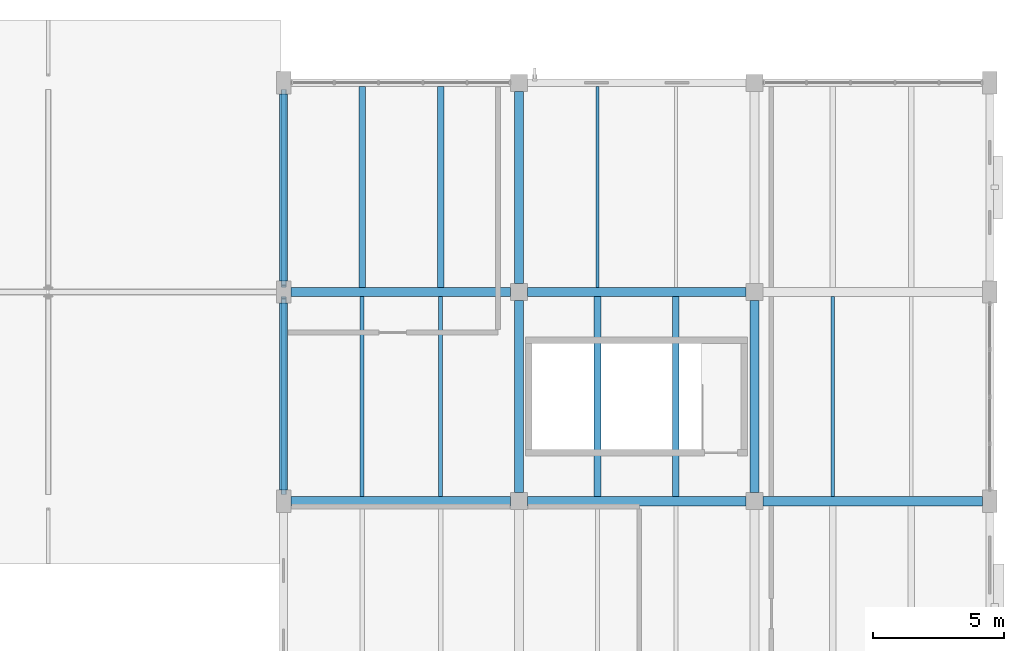
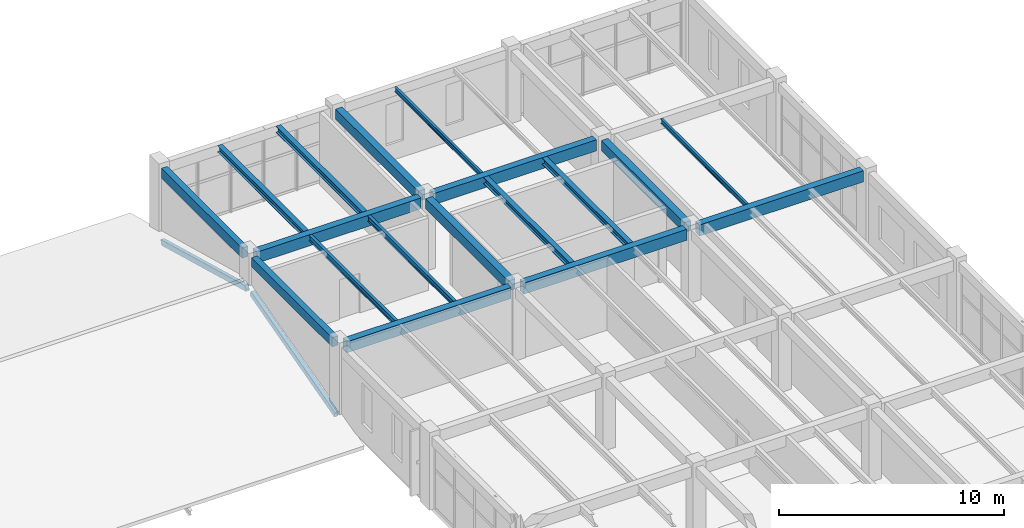
# One storey, part 46 of 71: 18 beams, 2 members.
"""IFC4 building model written with IfcOpenShell, lengths in metres."""

from ifc_helpers import new_model, si_unit, derived_unit, direction, frame, origin, origin_2d, place, context, subcontext, project, spatial, rectangle, hollow_rectangle, i_section, extrude, material, material_profile, profile_set, type_object, element, save


model = new_model("IFC4")

# Units and contexts
model_context = context("Model", 3, precision=1e-05, world=origin(), true_north=direction((0.0, 1.0)))
body_context = subcontext(model_context, "Body", "Model", "MODEL_VIEW")
ifc_project = project(units=[si_unit("LENGTHUNIT", "METRE"), si_unit("AREAUNIT", "SQUARE_METRE"), si_unit("VOLUMEUNIT", "CUBIC_METRE"), si_unit("PLANEANGLEUNIT", "RADIAN"), si_unit("MASSUNIT", "GRAM", prefix="KILO"), derived_unit("THERMALTRANSMITTANCEUNIT", [(si_unit("MASSUNIT", "GRAM", prefix="KILO"), 1), (si_unit("TIMEUNIT", "SECOND"), -3), (si_unit("THERMODYNAMICTEMPERATUREUNIT", "KELVIN"), -1)])], contexts=[model_context])

# Site, building, storey
site_placement = place(None, origin())
site = spatial("IfcSite", under=ifc_project, at=site_placement, CompositionType="ELEMENT")
building_placement = place(site_placement, origin())
building = spatial("IfcBuilding", under=site, at=building_placement, Name="Zhenchuan Archway Interchange", CompositionType="ELEMENT")
storey_placement = place(building_placement, frame((0.0, 0.0, 18.60009765625)))
storey = spatial("IfcBuildingStorey", under=building, at=storey_placement, Name="L04", CompositionType="ELEMENT", Elevation=18.60009765625)

# Beams
ifc_material_1 = material(Name="Concrete C40", Category="concrete")
ifc_material_profile_1 = material_profile(ifc_material_1, rectangle(XDim=0.35009765625, YDim=0.550048828125, at=origin_2d()), Name="RC 350x550")
ifc_profile_set_1 = profile_set([ifc_material_profile_1], Name="Concrete C40")
beam_type_1 = type_object("IfcBeamType", Name="BM_RC_350x550", PredefinedType="BEAM", material=ifc_profile_set_1)
for number, where, z_axis, x_axis, name in (
    (1, (153.0, 88.324951171875, 3.664794921875), (0.0, 1.0, 0.0), (-1.0, 0.0, 0.0), "Beam 18:M-N (L04)"),
    (2, (153.0, 96.324951171875, 3.664794921875), (0.0, 1.0, 0.0), (-1.0, 0.0, 0.0), "Beam 18:N-O (L04)"),
    (3, (162.0, 88.324951171875, 3.664794921875), (0.0, 1.0, 0.0), (-1.0, 0.0, 0.0), "Beam 19:M-N (L04)"),
):
    element("IfcBeam", number, at=place(storey_placement, frame(where, z_axis=z_axis, x_axis=x_axis)), inside=storey, type_object=beam_type_1, Name=name, PredefinedType="BEAM", context=body_context, shape_type="SweptSolid", body=[
        extrude(rectangle(XDim=0.35009765625, YDim=0.550048828125, at=origin_2d()), origin(), (0.0, 0.0, 1.0), 7.35009765625),
    ])
ifc_material_profile_2 = material_profile(ifc_material_1, rectangle(XDim=0.35009765625, YDim=0.60009765625, at=origin_2d()), Name="RC 350x600")
ifc_profile_set_2 = profile_set([ifc_material_profile_2], Name="Concrete C40")
beam_type_2 = type_object("IfcBeamType", Name="BM_RC_350x600", PredefinedType="BEAM", material=ifc_profile_set_2)
beam_1_placement = place(storey_placement, frame((144.27490234375, 88.0, 3.639892578125), z_axis=(1.0, 0.0, 0.0), x_axis=(0.0, 1.0, 0.0)))
element("IfcBeam", 4, at=beam_1_placement, inside=storey, type_object=beam_type_2, Name="Beam M:17-18 (L04)", PredefinedType="BEAM", context=body_context, shape_type="SweptSolid", body=[
    extrude(rectangle(XDim=0.35009765625, YDim=0.60009765625, at=origin_2d()), origin(), (0.0, 0.0, 1.0), 8.400146484375),
])
beam_2_placement = place(storey_placement, frame((153.324951171875, 88.0, 3.639892578125), z_axis=(1.0, 0.0, 0.0), x_axis=(0.0, 1.0, 0.0)))
element("IfcBeam", 5, at=beam_2_placement, inside=storey, type_object=beam_type_2, Name="Beam M:18-19 (L04)", PredefinedType="BEAM", context=body_context, shape_type="SweptSolid", body=[
    extrude(rectangle(XDim=0.35009765625, YDim=0.60009765625, at=origin_2d()), origin(), (0.0, 0.0, 1.0), 8.35009765625),
])
for number, where, z_axis, x_axis, name in (
    (6, (162.324951171875, 88.0, 3.639892578125), (1.0, 0.0, 0.0), (0.0, 1.0, 0.0), "Beam M:19-20 (L04)"),
    (7, (144.27490234375, 96.0, 3.639892578125), (1.0, 0.0, 0.0), (0.0, 1.0, 0.0), "Beam N:17-18 (L04)"),
):
    element("IfcBeam", number, at=place(storey_placement, frame(where, z_axis=z_axis, x_axis=x_axis)), inside=storey, type_object=beam_type_2, Name=name, PredefinedType="BEAM", context=body_context, shape_type="SweptSolid", body=[
        extrude(rectangle(XDim=0.35009765625, YDim=0.60009765625, at=origin_2d()), origin(), (0.0, 0.0, 1.0), 8.400146484375),
    ])
beam_3_placement = place(storey_placement, frame((153.324951171875, 96.0, 3.639892578125), z_axis=(1.0, 0.0, 0.0), x_axis=(0.0, 1.0, 0.0)))
element("IfcBeam", 8, at=beam_3_placement, inside=storey, type_object=beam_type_2, Name="Beam N:18-19 (L04)", PredefinedType="BEAM", context=body_context, shape_type="SweptSolid", body=[
    extrude(rectangle(XDim=0.35009765625, YDim=0.60009765625, at=origin_2d()), origin(), (0.0, 0.0, 1.0), 8.35009765625),
])
ifc_material_2 = material(Name="Steel Q355", Category="steel")
ifc_material_profile_3 = material_profile(ifc_material_2, i_section(OverallWidth=0.25, OverallDepth=0.340087890625, WebThickness=0.009033203125, FlangeThickness=0.013916015625, FilletRadius=0.01806640625, at=origin_2d()), Name="HM 340x250")
ifc_profile_set_3 = profile_set([ifc_material_profile_3], Name="Steel Q355")
beam_type_3 = type_object("IfcBeamType", Name="JST_STL_HM340", PredefinedType="JOIST", material=ifc_profile_set_3)
for number, where, z_axis, x_axis, name in (
    (9, (147.0, 96.175048828125, 3.77001953125), (0.0, 1.0, 0.0), (-1.0, 0.0, 0.0), "Secondary joist 17-18/N-O #1 (L04)"),
    (10, (150.0, 96.175048828125, 3.77001953125), (0.0, 1.0, 0.0), (-1.0, 0.0, 0.0), "Secondary joist 17-18/N-O #2 (L04)"),
):
    element("IfcBeam", number, at=place(storey_placement, frame(where, z_axis=z_axis, x_axis=x_axis)), inside=storey, type_object=beam_type_3, Name=name, PredefinedType="JOIST", context=body_context, shape_type="SweptSolid", body=[
        extrude(i_section(OverallWidth=0.25, OverallDepth=0.340087890625, WebThickness=0.009033203125, FlangeThickness=0.013916015625, FilletRadius=0.01806640625, at=origin_2d()), origin(), (0.0, 0.0, 1.0), 7.675048828125),
    ])
for number, where, z_axis, x_axis, name in (
    (11, (156.0, 88.175048828125, 3.77001953125), (0.0, 1.0, 0.0), (-1.0, 0.0, 0.0), "Secondary joist 18-19/M-N #1 (L04)"),
    (12, (159.0, 88.175048828125, 3.77001953125), (0.0, 1.0, 0.0), (-1.0, 0.0, 0.0), "Secondary joist 18-19/M-N #2 (L04)"),
):
    element("IfcBeam", number, at=place(storey_placement, frame(where, z_axis=z_axis, x_axis=x_axis)), inside=storey, type_object=beam_type_3, Name=name, PredefinedType="JOIST", context=body_context, shape_type="SweptSolid", body=[
        extrude(i_section(OverallWidth=0.25, OverallDepth=0.340087890625, WebThickness=0.009033203125, FlangeThickness=0.013916015625, FilletRadius=0.01806640625, at=origin_2d()), origin(), (0.0, 0.0, 1.0), 7.64990234375),
    ])
ifc_material_profile_4 = material_profile(ifc_material_2, i_section(OverallWidth=0.125, OverallDepth=0.25, WebThickness=0.006103515625, FlangeThickness=0.009033203125, FilletRadius=0.011962890625, at=origin_2d()), Name="HN 250x125")
ifc_profile_set_4 = profile_set([ifc_material_profile_4], Name="Steel Q355")
beam_type_4 = type_object("IfcBeamType", Name="JST_STL_HN250", PredefinedType="JOIST", material=ifc_profile_set_4)
beam_4_placement = place(storey_placement, frame((156.0, 96.175048828125, 3.81494140625), z_axis=(0.0, 1.0, 0.0), x_axis=(-1.0, 0.0, 0.0)))
element("IfcBeam", 13, at=beam_4_placement, inside=storey, type_object=beam_type_4, Name="Secondary joist 18-19/N-O #1 (L04)", PredefinedType="JOIST", context=body_context, shape_type="SweptSolid", body=[
    extrude(i_section(OverallWidth=0.125, OverallDepth=0.25, WebThickness=0.006103515625, FlangeThickness=0.009033203125, FilletRadius=0.011962890625, at=origin_2d()), origin(), (0.0, 0.0, 1.0), 7.675048828125),
])
beam_5_placement = place(storey_placement, frame((165.0, 88.175048828125, 3.81494140625), z_axis=(0.0, 1.0, 0.0), x_axis=(-1.0, 0.0, 0.0)))
element("IfcBeam", 14, at=beam_5_placement, inside=storey, type_object=beam_type_4, Name="Secondary joist 19-20/M-N #1 (L04)", PredefinedType="JOIST", context=body_context, shape_type="SweptSolid", body=[
    extrude(i_section(OverallWidth=0.125, OverallDepth=0.25, WebThickness=0.006103515625, FlangeThickness=0.009033203125, FilletRadius=0.011962890625, at=origin_2d()), origin(), (0.0, 0.0, 1.0), 7.64990234375),
])
ifc_material_profile_5 = material_profile(ifc_material_2, i_section(OverallWidth=0.14990234375, OverallDepth=0.300048828125, WebThickness=0.006591796875, FlangeThickness=0.009033203125, FilletRadius=0.012939453125, at=origin_2d()), Name="HN 300x150")
ifc_profile_set_5 = profile_set([ifc_material_profile_5], Name="Steel Q355")
beam_type_5 = type_object("IfcBeamType", Name="JST_STL_HN300", PredefinedType="JOIST", material=ifc_profile_set_5)
for number, where, z_axis, x_axis, name in (
    (15, (147.0, 88.175048828125, 3.789794921875), (0.0, 1.0, 0.0), (-1.0, 0.0, 0.0), "Secondary joist 17-18/M-N #1 (L04)"),
    (16, (150.0, 88.175048828125, 3.789794921875), (0.0, 1.0, 0.0), (-1.0, 0.0, 0.0), "Secondary joist 17-18/M-N #2 (L04)"),
):
    element("IfcBeam", number, at=place(storey_placement, frame(where, z_axis=z_axis, x_axis=x_axis)), inside=storey, type_object=beam_type_5, Name=name, PredefinedType="JOIST", context=body_context, shape_type="SweptSolid", body=[
        extrude(i_section(OverallWidth=0.14990234375, OverallDepth=0.300048828125, WebThickness=0.006591796875, FlangeThickness=0.009033203125, FilletRadius=0.012939453125, at=origin_2d()), origin(), (0.0, 0.0, 1.0), 7.64990234375),
    ])

# Members
ifc_material_profile_6 = material_profile(ifc_material_2, hollow_rectangle(XDim=0.199951171875, YDim=0.300048828125, WallThickness=0.010009765625, InnerFilletRadius=0.010009765625, OuterFilletRadius=0.02001953125, at=origin_2d()), Name="RHS 300x200x10")
ifc_profile_set_6 = profile_set([ifc_material_profile_6], Name="Steel Q355")
member_type = type_object("IfcMemberType", Name="MB_RHS300", PredefinedType="CHORD", material=ifc_profile_set_6)
for number, where, z_axis, x_axis, name in (
    (17, (144.0, 88.300048828125, -0.18017578125), (0.0, 0.964762367881, 0.263122734709), (-1.0, 0.0, 0.0), "Courtyard N-arm rafter X144-1"),
    (18, (144.0, 96.219970703125, 1.85986328125), (0.0, 0.964762367881, -0.263122734709), (-1.0, 0.0, 0.0), "Courtyard N-arm rafter X144-2"),
):
    element("IfcMember", number, at=place(storey_placement, frame(where, z_axis=z_axis, x_axis=x_axis)), inside=storey, type_object=member_type, Name=name, PredefinedType="CHORD", context=body_context, shape_type="SweptSolid", body=[
        extrude(hollow_rectangle(XDim=0.199951171875, YDim=0.300048828125, WallThickness=0.010009765625, InnerFilletRadius=0.010009765625, OuterFilletRadius=0.02001953125, at=origin_2d()), origin(), (0.0, 0.0, 1.0), 7.753173828125),
    ])

# Beams
ifc_material_profile_7 = material_profile(ifc_material_1, rectangle(XDim=0.300048828125, YDim=0.5, at=origin_2d()), Name="RC 300x500")
ifc_profile_set_7 = profile_set([ifc_material_profile_7], Name="Concrete C40")
beam_type_6 = type_object("IfcBeamType", Name="SP_RC_300x500", PredefinedType="SPANDREL", material=ifc_profile_set_7)
beam_6_placement = place(storey_placement, frame((144.0, 88.425048828125, 3.68994140625), z_axis=(0.0, 1.0, 0.0), x_axis=(-1.0, 0.0, 0.0)))
element("IfcBeam", 19, at=beam_6_placement, inside=storey, type_object=beam_type_6, Name="Beam 17:M-N (L04)", PredefinedType="SPANDREL", context=body_context, shape_type="SweptSolid", body=[
    extrude(rectangle(XDim=0.300048828125, YDim=0.5, at=origin_2d()), origin(), (0.0, 0.0, 1.0), 7.14990234375),
])
ifc_material_profile_8 = material_profile(ifc_material_1, rectangle(XDim=0.300048828125, YDim=0.550048828125, at=origin_2d()), Name="RC 300x550")
ifc_profile_set_8 = profile_set([ifc_material_profile_8], Name="Concrete C40")
beam_type_7 = type_object("IfcBeamType", Name="SP_RC_300x550", PredefinedType="SPANDREL", material=ifc_profile_set_8)
beam_7_placement = place(storey_placement, frame((144.0, 96.425048828125, 3.664794921875), z_axis=(0.0, 1.0, 0.0), x_axis=(-1.0, 0.0, 0.0)))
element("IfcBeam", 20, at=beam_7_placement, inside=storey, type_object=beam_type_7, Name="Beam 17:N-O (L04)", PredefinedType="SPANDREL", context=body_context, shape_type="SweptSolid", body=[
    extrude(rectangle(XDim=0.300048828125, YDim=0.550048828125, at=origin_2d()), origin(), (0.0, 0.0, 1.0), 7.14990234375),
])

save(model, "model.ifc")
